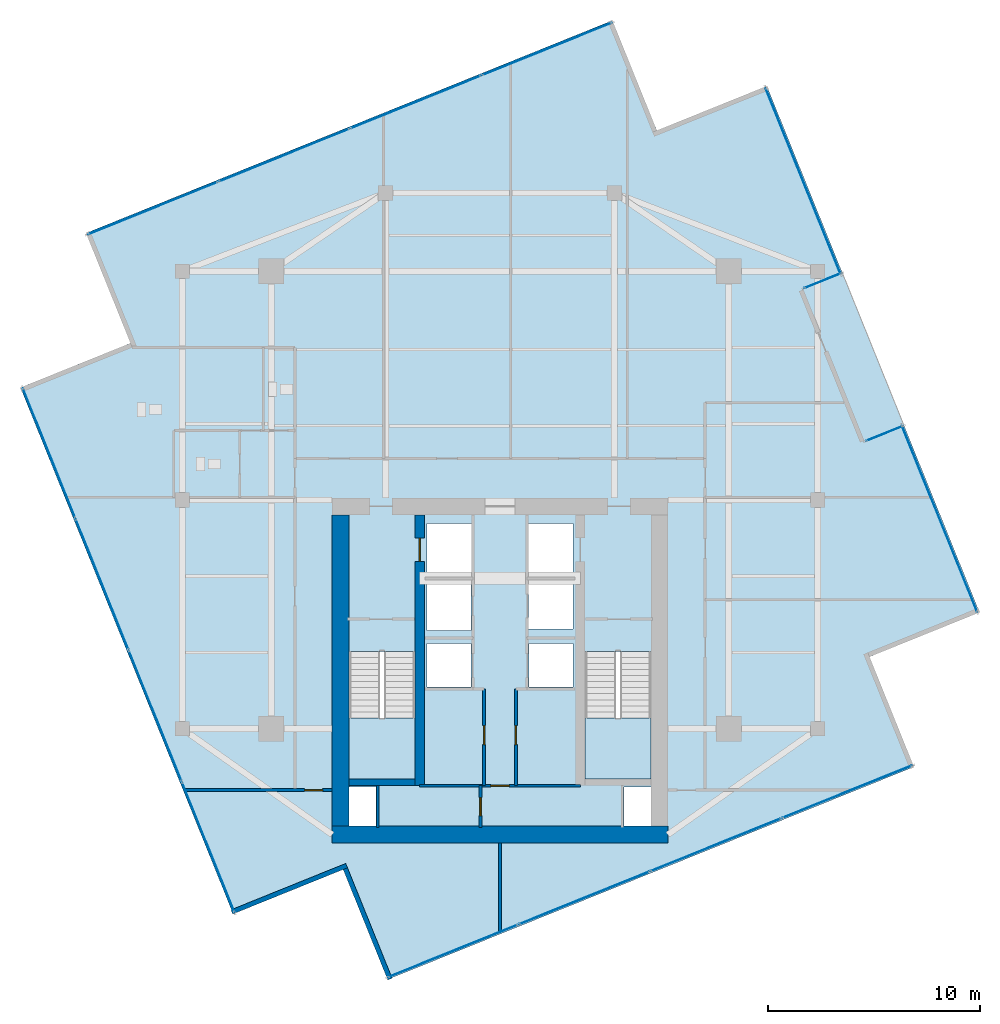
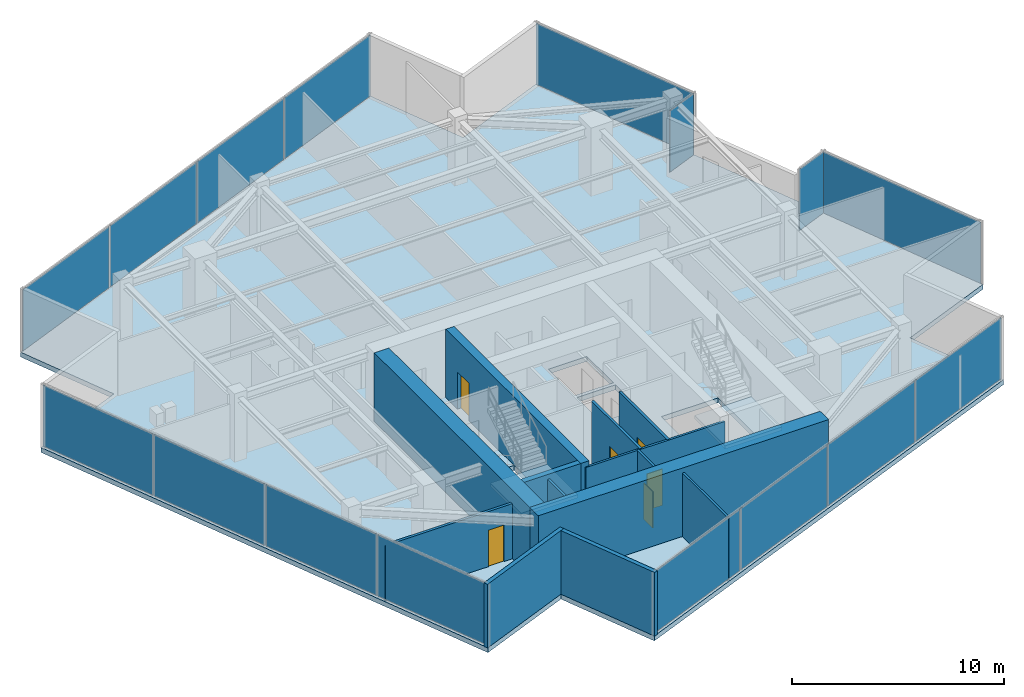
# One storey, part 17 of 21: 16 plates, 13 walls, 6 doors, 3 slabs, 6 openings, 9 elements without a shape of their own.
"""IFC4 building model written with IfcOpenShell, lengths in metres."""

from ifc_helpers import new_model, si_unit, direction, frame, frame_2d, origin, origin_2d, place, context, subcontext, project, spatial, polyline, rectangle, outline, extrude, source, transform, mapped, material, layer, layer_set, type_object, type_shapes, element, fill, aggregate, save


model = new_model("IFC4")

# Units and contexts
model_context = context("Model", 3, precision=1e-05, world=origin(), true_north=direction((0.0, 1.0)))
body_context = subcontext(model_context, "Body", "Model", "MODEL_VIEW")
ifc_project = project(units=[si_unit("LENGTHUNIT", "METRE"), si_unit("AREAUNIT", "SQUARE_METRE"), si_unit("VOLUMEUNIT", "CUBIC_METRE"), si_unit("PLANEANGLEUNIT", "RADIAN"), si_unit("MASSUNIT", "GRAM", prefix="KILO")], contexts=[model_context])

# Site, building, storey
site_placement = place(None, origin())
site = spatial("IfcSite", under=ifc_project, at=site_placement, CompositionType="ELEMENT")
building_placement = place(site_placement, origin())
building = spatial("IfcBuilding", under=site, at=building_placement, Name="Krantzveldt Concourse Tower", CompositionType="ELEMENT")
storey_placement = place(building_placement, frame((0.0, 0.0, 323.75)))
storey = spatial("IfcBuildingStorey", under=building, at=storey_placement, Name="L79", CompositionType="ELEMENT", Elevation=323.75)

# Stair, slab
ifc_material_1 = material(Name="Precast concrete C40/50", Category="concrete")
stair_type = type_object("IfcStairType", Name="STR-CORE-DOGLEG", PredefinedType="HALF_TURN_STAIR", material=ifc_material_1)
stair_1_placement = place(storey_placement, origin())
stair_1 = element("IfcStair", 1, at=stair_1_placement, inside=storey, type_object=stair_type, Name="L79 Protected Escape Stair ST-1", PredefinedType="HALF_TURN_STAIR")
ifc_layer_1 = layer(ifc_material_1, 0.199951171875, Name="Precast concrete C40/50", Category="concrete")
ifc_layer_set_1 = layer_set([ifc_layer_1], Name="Precast concrete C40/50 (SL-LANDING-200)")
slab_type_1 = type_object("IfcSlabType", Name="SL-LANDING-200", PredefinedType="LANDING", material=ifc_layer_set_1)
slab_1_placement = place(storey_placement, frame((0.0, 0.0, 1.77490234375)))
slab_1 = element("IfcSlab", 2, at=slab_1_placement, type_object=slab_type_1, Name="ST-1 landing 1", PredefinedType="LANDING", context=body_context, shape_type="SweptSolid", body=[
    extrude(outline(polyline([(28.8798828125, 16.4150390625), (28.8798828125, 13.52001953125), (31.97998046875, 13.52001953125), (31.97998046875, 16.4150390625), (28.8798828125, 16.4150390625)])), origin(), (0.0, 0.0, 1.0), 0.2001953125),
])
aggregate(stair_1, [slab_1])

stair_2_placement = place(storey_placement, origin())
stair_2 = element("IfcStair", 3, at=stair_2_placement, inside=storey, type_object=stair_type, Name="L79 Protected Escape Stair ST-2", PredefinedType="HALF_TURN_STAIR")
slab_2_placement = place(storey_placement, frame((0.0, 0.0, 1.77490234375)))
slab_2 = element("IfcSlab", 4, at=slab_2_placement, type_object=slab_type_1, Name="ST-2 landing 1", PredefinedType="LANDING", context=body_context, shape_type="SweptSolid", body=[
    extrude(outline(polyline([(40.02001953125, 16.4150390625), (40.02001953125, 13.52001953125), (43.1201171875, 13.52001953125), (43.1201171875, 16.4150390625), (40.02001953125, 16.4150390625)])), origin(), (0.0, 0.0, 1.0), 0.2001953125),
])
aggregate(stair_2, [slab_2])

# Slab
ifc_material_2 = material(Name="Concrete C40/50", Category="concrete")
ifc_layer_2 = layer(ifc_material_2, 0.280029296875, Name="Concrete C40/50", Category="concrete")
ifc_layer_set_2 = layer_set([ifc_layer_2], Name="Concrete C40/50 (SL-SL-TER280)")
slab_type_2 = type_object("IfcSlabType", Name="SL-SL-TER280", PredefinedType="FLOOR", material=ifc_layer_set_2)
slab_3_placement = place(storey_placement, frame((0.0, 0.0, -0.280029296875)))
element("IfcSlab", 5, at=slab_3_placement, inside=storey, type_object=slab_type_2, Name="SL-L79-MAIN", PredefinedType="FLOOR", context=body_context, shape_type="SweptSolid", body=[
    extrude(outline(polyline([(43.404541015625, 44.14404296875), (41.306640625, 49.336181640625), (16.458251953125, 39.296875), (18.555908203125, 34.1044921875), (13.36376953125, 32.0068359375), (23.4033203125, 7.158203125), (28.595458984375, 9.256103515625), (30.693359375, 4.063720703125), (55.541748046875, 14.103271484375), (53.444091796875, 19.29541015625), (58.63623046875, 21.393310546875), (48.5966796875, 46.24169921875), (43.404541015625, 44.14404296875)]), holes=[polyline([(28.8798828125, 19.547607421875), (28.8798828125, 13.52001953125), (31.97998046875, 13.52001953125), (31.97998046875, 19.547607421875), (28.8798828125, 19.547607421875)]), polyline([(40.02001953125, 19.547607421875), (40.02001953125, 13.52001953125), (43.1201171875, 13.52001953125), (43.1201171875, 19.547607421875), (40.02001953125, 19.547607421875)]), polyline([(32.550048828125, 23.10009765625), (34.64990234375, 23.10009765625), (34.64990234375, 25.60009765625), (32.550048828125, 25.60009765625), (32.550048828125, 23.10009765625)]), polyline([(37.35009765625, 23.10009765625), (39.449951171875, 23.10009765625), (39.449951171875, 25.60009765625), (37.35009765625, 25.60009765625), (37.35009765625, 23.10009765625)]), polyline([(37.35009765625, 20.60009765625), (39.449951171875, 20.60009765625), (39.449951171875, 22.89990234375), (37.35009765625, 22.89990234375), (37.35009765625, 20.60009765625)]), polyline([(32.550048828125, 20.550048828125), (34.6201171875, 20.550048828125), (34.6201171875, 22.89990234375), (32.550048828125, 22.89990234375), (32.550048828125, 20.550048828125)]), polyline([(32.550048828125, 17.8798828125), (34.6201171875, 17.8798828125), (34.6201171875, 19.919921875), (32.550048828125, 19.919921875), (32.550048828125, 17.8798828125)]), polyline([(37.3798828125, 17.8798828125), (39.449951171875, 17.8798828125), (39.449951171875, 19.919921875), (37.3798828125, 19.919921875), (37.3798828125, 17.8798828125)]), polyline([(28.8798828125, 11.320068359375), (30.139892578125, 11.320068359375), (30.139892578125, 13.159912109375), (28.8798828125, 13.159912109375), (28.8798828125, 11.320068359375)]), polyline([(41.860107421875, 11.320068359375), (43.1201171875, 11.320068359375), (43.1201171875, 13.159912109375), (41.860107421875, 13.159912109375), (41.860107421875, 11.320068359375)])]), origin(), (0.0, 0.0, 1.0), 0.280029296875),
])

# Curtain wall, plate
ifc_material_3 = material(Name="Anodised aluminium 6063-T6", Category="aluminium")
curtain_wall_type_1 = type_object("IfcCurtainWallType", Name="CW6", PredefinedType="USERDEFINED", material=ifc_material_3)
curtain_wall_1_placement = place(storey_placement, origin())
curtain_wall_1 = element("IfcCurtainWall", 6, at=curtain_wall_1_placement, inside=storey, type_object=curtain_wall_type_1, Name="CW-L79-TR11", ObjectType="UNITISED CURTAIN WALL", PredefinedType="USERDEFINED")
ifc_material_4 = material(Name="Bronze-tinted laminated low-E IGU glass", Category="glass")
ifc_layer_3 = layer(ifc_material_4, 0.031982421875, Name="Bronze-tinted laminated low-E IGU glass", Category="glass")
ifc_layer_set_3 = layer_set([ifc_layer_3], Name="Bronze-tinted laminated low-E IGU glass (CW-GLZ-32)")
plate_type = type_object("IfcPlateType", Name="CW-GLZ-32", PredefinedType="CURTAIN_PANEL", material=ifc_layer_set_3)
shared_shape_1 = source(origin(), body_context, "Body", "SweptSolid", [
    extrude(rectangle(XDim=1.860107421875, YDim=0.031982421875, at=origin_2d()), origin(), (0.0, 0.0, 1.0), 3.530029296875),
])
plate_1_placement = place(storey_placement, frame((54.146484375, 29.836181640625, 0.06982421875), z_axis=(0.0, 0.0, 1.0), x_axis=(-0.9271828321, -0.374609124101, 0.0)))
plate_1 = element("IfcPlate", 7, at=plate_1_placement, type_object=plate_type, Name="CW-TERR panel 1.1", PredefinedType="CURTAIN_PANEL", context=body_context, shape_type="MappedRepresentation", body=[
    mapped(shared_shape_1, transform((0.0, 0.0, 0.0), x_axis=(1.0, 0.0, 0.0), y_axis=(0.0, 1.0, 0.0), z_axis=(0.0, 0.0, 1.0), scale=1.0)),
])
aggregate(curtain_wall_1, [plate_1])

curtain_wall_2_placement = place(storey_placement, origin())
curtain_wall_2 = element("IfcCurtainWall", 8, at=curtain_wall_2_placement, inside=storey, type_object=curtain_wall_type_1, Name="CW-L79-TR13", ObjectType="UNITISED CURTAIN WALL", PredefinedType="USERDEFINED")
plate_2_placement = place(storey_placement, frame((51.232177734375, 37.049560546875, 0.06982421875), z_axis=(0.0, 0.0, 1.0), x_axis=(0.927184568743, 0.374604825762, 0.0)))
plate_2 = element("IfcPlate", 9, at=plate_2_placement, type_object=plate_type, Name="CW-TERR panel 1.1", PredefinedType="CURTAIN_PANEL", context=body_context, shape_type="MappedRepresentation", body=[
    mapped(shared_shape_1, transform((0.0, 0.0, 0.0), x_axis=(1.0, 0.0, 0.0), y_axis=(0.0, 1.0, 0.0), z_axis=(0.0, 0.0, 1.0), scale=1.0)),
])
aggregate(curtain_wall_2, [plate_2])

# Curtain wall, plates
curtain_wall_type_2 = type_object("IfcCurtainWallType", Name="CW4", PredefinedType="USERDEFINED", material=ifc_material_3)
curtain_wall_3_placement = place(storey_placement, origin())
curtain_wall_3 = element("IfcCurtainWall", 10, at=curtain_wall_3_placement, inside=storey, type_object=curtain_wall_type_2, Name="CW-L79-F01", ObjectType="UNITISED CURTAIN WALL", PredefinedType="USERDEFINED")
shared_shape_2 = source(origin(), body_context, "Body", "SweptSolid", [
    extrude(rectangle(XDim=6.594970703125, YDim=0.031982421875, at=origin_2d()), origin(), (0.0, 0.0, 1.0), 3.530029296875),
])
plate_3_placement = place(storey_placement, frame((38.21826171875, 47.9912109375, 0.06982421875), z_axis=(0.0, 0.0, 1.0), x_axis=(-0.927183825969, -0.374606664198, 0.0)))
plate_3 = element("IfcPlate", 11, at=plate_3_placement, type_object=plate_type, Name="CW-Z56 panel 1.1", PredefinedType="CURTAIN_PANEL", context=body_context, shape_type="MappedRepresentation", body=[
    mapped(shared_shape_2, transform((0.0, 0.0, 0.0), x_axis=(1.0, 0.0, 0.0), y_axis=(0.0, 1.0, 0.0), z_axis=(0.0, 0.0, 1.0), scale=1.0)),
])
plate_4_placement = place(storey_placement, frame((19.6142578125, 40.474853515625, 0.06982421875), z_axis=(0.0, 0.0, 1.0), x_axis=(-0.927183825969, -0.374606664198, 0.0)))
plate_4 = element("IfcPlate", 12, at=plate_4_placement, type_object=plate_type, Name="CW-Z56 panel 4.1", PredefinedType="CURTAIN_PANEL", context=body_context, shape_type="MappedRepresentation", body=[
    mapped(shared_shape_2, transform((0.0, 0.0, 0.0), x_axis=(1.0, 0.0, 0.0), y_axis=(0.0, 1.0, 0.0), z_axis=(0.0, 0.0, 1.0), scale=1.0)),
])

curtain_wall_4_placement = place(storey_placement, origin())
curtain_wall_4 = element("IfcCurtainWall", 13, at=curtain_wall_4_placement, inside=storey, type_object=curtain_wall_type_2, Name="CW-L79-F04", ObjectType="UNITISED CURTAIN WALL", PredefinedType="USERDEFINED")
plate_5_placement = place(storey_placement, frame((14.708740234375, 28.918212890625, 0.06982421875), z_axis=(0.0, 0.0, 1.0), x_axis=(0.374606664198, -0.927183825969, 0.0)))
plate_5 = element("IfcPlate", 14, at=plate_5_placement, type_object=plate_type, Name="CW-Z56 panel 1.1", PredefinedType="CURTAIN_PANEL", context=body_context, shape_type="MappedRepresentation", body=[
    mapped(shared_shape_2, transform((0.0, 0.0, 0.0), x_axis=(1.0, 0.0, 0.0), y_axis=(0.0, 1.0, 0.0), z_axis=(0.0, 0.0, 1.0), scale=1.0)),
])
plate_6_placement = place(storey_placement, frame((22.22509765625, 10.314208984375, 0.06982421875), z_axis=(0.0, 0.0, 1.0), x_axis=(0.374606664198, -0.927183825969, 0.0)))
plate_6 = element("IfcPlate", 15, at=plate_6_placement, type_object=plate_type, Name="CW-Z56 panel 4.1", PredefinedType="CURTAIN_PANEL", context=body_context, shape_type="MappedRepresentation", body=[
    mapped(shared_shape_2, transform((0.0, 0.0, 0.0), x_axis=(1.0, 0.0, 0.0), y_axis=(0.0, 1.0, 0.0), z_axis=(0.0, 0.0, 1.0), scale=1.0)),
])

curtain_wall_5_placement = place(storey_placement, origin())
curtain_wall_5 = element("IfcCurtainWall", 16, at=curtain_wall_5_placement, inside=storey, type_object=curtain_wall_type_2, Name="CW-L79-F07", ObjectType="UNITISED CURTAIN WALL", PredefinedType="USERDEFINED")
plate_7_placement = place(storey_placement, frame((33.78173828125, 5.40869140625, 0.06982421875), z_axis=(0.0, 0.0, 1.0), x_axis=(0.927183825969, 0.374606664198, 0.0)))
plate_7 = element("IfcPlate", 17, at=plate_7_placement, type_object=plate_type, Name="CW-Z56 panel 1.1", PredefinedType="CURTAIN_PANEL", context=body_context, shape_type="MappedRepresentation", body=[
    mapped(shared_shape_2, transform((0.0, 0.0, 0.0), x_axis=(1.0, 0.0, 0.0), y_axis=(0.0, 1.0, 0.0), z_axis=(0.0, 0.0, 1.0), scale=1.0)),
])
plate_8_placement = place(storey_placement, frame((52.3857421875, 12.92529296875, 0.06982421875), z_axis=(0.0, 0.0, 1.0), x_axis=(0.927183825969, 0.374606664198, 0.0)))
plate_8 = element("IfcPlate", 18, at=plate_8_placement, type_object=plate_type, Name="CW-Z56 panel 4.1", PredefinedType="CURTAIN_PANEL", context=body_context, shape_type="MappedRepresentation", body=[
    mapped(shared_shape_2, transform((0.0, 0.0, 0.0), x_axis=(1.0, 0.0, 0.0), y_axis=(0.0, 1.0, 0.0), z_axis=(0.0, 0.0, 1.0), scale=1.0)),
])

# Plate
shared_shape_3 = source(origin(), body_context, "Body", "SweptSolid", [
    extrude(rectangle(XDim=6.6298828125, YDim=0.031982421875, at=origin_2d()), origin(), (0.0, 0.0, 1.0), 3.530029296875),
])
plate_9_placement = place(storey_placement, frame((32.022216796875, 45.488037109375, 0.06982421875), z_axis=(0.0, 0.0, 1.0), x_axis=(-0.927183825969, -0.374606664198, 0.0)))
plate_9 = element("IfcPlate", 19, at=plate_9_placement, type_object=plate_type, Name="CW-Z56 panel 2.1", PredefinedType="CURTAIN_PANEL", context=body_context, shape_type="MappedRepresentation", body=[
    mapped(shared_shape_3, transform((0.0, 0.0, 0.0), x_axis=(1.0, 0.0, 0.0), y_axis=(0.0, 1.0, 0.0), z_axis=(0.0, 0.0, 1.0), scale=1.0)),
])

plate_10_placement = place(storey_placement, frame((25.81005859375, 42.97802734375, 0.06982421875), z_axis=(0.0, 0.0, 1.0), x_axis=(-0.927183825969, -0.374606664198, 0.0)))
plate_10 = element("IfcPlate", 20, at=plate_10_placement, type_object=plate_type, Name="CW-Z56 panel 3.1", PredefinedType="CURTAIN_PANEL", context=body_context, shape_type="MappedRepresentation", body=[
    mapped(shared_shape_3, transform((0.0, 0.0, 0.0), x_axis=(1.0, 0.0, 0.0), y_axis=(0.0, 1.0, 0.0), z_axis=(0.0, 0.0, 1.0), scale=1.0)),
])

aggregate(curtain_wall_3, [plate_3, plate_9, plate_10, plate_4])

plate_11_placement = place(storey_placement, frame((17.2119140625, 22.72216796875, 0.06982421875), z_axis=(0.0, 0.0, 1.0), x_axis=(0.374606664198, -0.927183825969, 0.0)))
plate_11 = element("IfcPlate", 21, at=plate_11_placement, type_object=plate_type, Name="CW-Z56 panel 2.1", PredefinedType="CURTAIN_PANEL", context=body_context, shape_type="MappedRepresentation", body=[
    mapped(shared_shape_3, transform((0.0, 0.0, 0.0), x_axis=(1.0, 0.0, 0.0), y_axis=(0.0, 1.0, 0.0), z_axis=(0.0, 0.0, 1.0), scale=1.0)),
])

plate_12_placement = place(storey_placement, frame((19.721923828125, 16.510009765625, 0.06982421875), z_axis=(0.0, 0.0, 1.0), x_axis=(0.374606664198, -0.927183825969, 0.0)))
plate_12 = element("IfcPlate", 22, at=plate_12_placement, type_object=plate_type, Name="CW-Z56 panel 3.1", PredefinedType="CURTAIN_PANEL", context=body_context, shape_type="MappedRepresentation", body=[
    mapped(shared_shape_3, transform((0.0, 0.0, 0.0), x_axis=(1.0, 0.0, 0.0), y_axis=(0.0, 1.0, 0.0), z_axis=(0.0, 0.0, 1.0), scale=1.0)),
])

aggregate(curtain_wall_4, [plate_5, plate_11, plate_12, plate_6])

plate_13_placement = place(storey_placement, frame((39.977783203125, 7.912109375, 0.06982421875), z_axis=(0.0, 0.0, 1.0), x_axis=(0.927183825969, 0.374606664198, 0.0)))
plate_13 = element("IfcPlate", 23, at=plate_13_placement, type_object=plate_type, Name="CW-Z56 panel 2.1", PredefinedType="CURTAIN_PANEL", context=body_context, shape_type="MappedRepresentation", body=[
    mapped(shared_shape_3, transform((0.0, 0.0, 0.0), x_axis=(1.0, 0.0, 0.0), y_axis=(0.0, 1.0, 0.0), z_axis=(0.0, 0.0, 1.0), scale=1.0)),
])

plate_14_placement = place(storey_placement, frame((46.18994140625, 10.421875, 0.06982421875), z_axis=(0.0, 0.0, 1.0), x_axis=(0.927183825969, 0.374606664198, 0.0)))
plate_14 = element("IfcPlate", 24, at=plate_14_placement, type_object=plate_type, Name="CW-Z56 panel 3.1", PredefinedType="CURTAIN_PANEL", context=body_context, shape_type="MappedRepresentation", body=[
    mapped(shared_shape_3, transform((0.0, 0.0, 0.0), x_axis=(1.0, 0.0, 0.0), y_axis=(0.0, 1.0, 0.0), z_axis=(0.0, 0.0, 1.0), scale=1.0)),
])

aggregate(curtain_wall_5, [plate_7, plate_13, plate_14, plate_8])

# Curtain wall, plate
curtain_wall_6_placement = place(storey_placement, origin())
curtain_wall_6 = element("IfcCurtainWall", 25, at=curtain_wall_6_placement, inside=storey, type_object=curtain_wall_type_2, Name="CW-L79-F10", ObjectType="UNITISED CURTAIN WALL", PredefinedType="USERDEFINED")
shared_shape_4 = source(origin(), body_context, "Body", "SweptSolid", [
    extrude(rectangle(XDim=9.4599609375, YDim=0.031982421875, at=origin_2d()), origin(), (0.0, 0.0, 1.0), 3.530029296875),
])
type_shapes(plate_type, [shared_shape_1, shared_shape_2, shared_shape_3, shared_shape_4])
plate_15_placement = place(storey_placement, frame((56.754638671875, 25.81005859375, 0.06982421875), z_axis=(0.0, 0.0, 1.0), x_axis=(-0.374606117426, 0.927184046879, 0.0)))
plate_15 = element("IfcPlate", 26, at=plate_15_placement, type_object=plate_type, Name="CW-Z56 panel 1.1", PredefinedType="CURTAIN_PANEL", context=body_context, shape_type="MappedRepresentation", body=[
    mapped(shared_shape_4, transform((0.0, 0.0, 0.0), x_axis=(1.0, 0.0, 0.0), y_axis=(0.0, 1.0, 0.0), z_axis=(0.0, 0.0, 1.0), scale=1.0)),
])
aggregate(curtain_wall_6, [plate_15])

curtain_wall_7_placement = place(storey_placement, origin())
curtain_wall_7 = element("IfcCurtainWall", 27, at=curtain_wall_7_placement, inside=storey, type_object=curtain_wall_type_2, Name="CW-L79-F14", ObjectType="UNITISED CURTAIN WALL", PredefinedType="USERDEFINED")
plate_16_placement = place(storey_placement, frame((50.3115234375, 41.757568359375, 0.06982421875), z_axis=(0.0, 0.0, 1.0), x_axis=(-0.374607012913, 0.927183685079, 0.0)))
plate_16 = element("IfcPlate", 28, at=plate_16_placement, type_object=plate_type, Name="CW-Z56 panel 1.1", PredefinedType="CURTAIN_PANEL", context=body_context, shape_type="MappedRepresentation", body=[
    mapped(shared_shape_4, transform((0.0, 0.0, 0.0), x_axis=(1.0, 0.0, 0.0), y_axis=(0.0, 1.0, 0.0), z_axis=(0.0, 0.0, 1.0), scale=1.0)),
])
aggregate(curtain_wall_7, [plate_16])

# Walls
ifc_layer_4 = layer(ifc_material_3, 0.219970703125, Name="Anodised aluminium 6063-T6", Category="aluminium")
ifc_layer_set_4 = layer_set([ifc_layer_4], Name="Anodised aluminium 6063-T6 (WL-EXT-NOTCH220)")
wall_type_1 = type_object("IfcWallType", Name="WL-EXT-NOTCH220", PredefinedType="ELEMENTEDWALL", material=ifc_layer_set_4)
wall_1_placement = place(storey_placement, frame((23.3388671875, 7.250732421875, 0.0), z_axis=(0.0, 0.0, 1.0), x_axis=(0.927177676614, 0.374621884023, 0.0)))
element("IfcWall", 29, at=wall_1_placement, inside=storey, type_object=wall_type_1, Name="EW-L79-NCH05", PredefinedType="ELEMENTEDWALL", context=body_context, shape_type="SweptSolid", body=[
    extrude(rectangle(XDim=5.844970703125, YDim=0.219970703125, at=frame_2d((2.92236328125, 0.0))), origin(), (0.0, 0.0, 1.0), 3.669921875),
])
wall_2_placement = place(storey_placement, frame((28.697509765625, 9.297119140625, 0.0), z_axis=(0.0, 0.0, 1.0), x_axis=(0.374613748588, -0.927180963658, 0.0)))
element("IfcWall", 30, at=wall_2_placement, inside=storey, type_object=wall_type_1, Name="EW-L79-NCH06", PredefinedType="ELEMENTEDWALL", context=body_context, shape_type="SweptSolid", body=[
    extrude(rectangle(XDim=5.625, YDim=0.219970703125, at=frame_2d((2.8125, 0.0))), origin(), (0.0, 0.0, 1.0), 3.669921875),
])

# Wall, opening, door
ifc_material_5 = material(Name="Fire-rated gypsum plasterboard on steel stud", Category="steel")
ifc_layer_5 = layer(ifc_material_5, 0.1201171875, Name="Fire-rated gypsum plasterboard on steel stud", Category="steel")
ifc_layer_set_5 = layer_set([ifc_layer_5], Name="Fire-rated gypsum plasterboard on steel stud (WL-PART-120)")
wall_type_2 = type_object("IfcWallType", Name="WL-PART-120", PredefinedType="PARTITIONING", material=ifc_layer_set_5)
wall_3_placement = place(storey_placement, frame((32.2099609375, 13.219970703125, 0.0), z_axis=(0.0, 0.0, 1.0), x_axis=(1.0, 0.0, 0.0)))
wall_3 = element("IfcWall", 31, at=wall_3_placement, inside=storey, type_object=wall_type_2, Name="WP-L79-CS2H", PredefinedType="PARTITIONING", context=body_context, shape_type="SweptSolid", body=[
    extrude(rectangle(XDim=7.580078125, YDim=0.1201171875, at=frame_2d((3.7900390625, 0.0))), origin(), (0.0, 0.0, 1.0), 3.669921875),
])
opening_1_placement = place(wall_3_placement, frame((3.364990234375, 0.0, 0.0)))
opening_1 = element("IfcOpeningElement", 32, at=opening_1_placement, cuts=wall_3, Name="Opening D-IN085", PredefinedType="OPENING", context=body_context, shape_type="SweptSolid", body=[
    extrude(rectangle(XDim=0.85009765625, YDim=2.10009765625, at=frame_2d((0.425048828125, 1.050048828125))), frame((0.0, 0.070068359375, 0.0), z_axis=(0.0, -1.0, 0.0), x_axis=(1.0, 0.0, 0.0)), (0.0, 0.0, 1.0), 0.14013671875),
])
ifc_material_6 = material(Name="Hardwood timber", Category="wood")
door_type_1 = type_object("IfcDoorType", Name="DR-INT-850", OperationType="SINGLE_SWING_LEFT", PredefinedType="DOOR", material=ifc_material_6)
door_1_placement = place(opening_1_placement, origin())
door_1 = element("IfcDoor", 33, at=door_1_placement, inside=storey, type_object=door_type_1, Name="DR-L79-LLBS", OperationType="SINGLE_SWING_RIGHT", OverallHeight=2.10009765625, OverallWidth=0.85009765625, PredefinedType="DOOR", context=body_context, shape_type="SweptSolid", body=[
    extrude(rectangle(XDim=0.85009765625, YDim=2.10009765625, at=frame_2d((0.425048828125, 1.050048828125))), frame((0.0, 0.02490234375, 0.0), z_axis=(0.0, -1.0, 0.0), x_axis=(1.0, 0.0, 0.0)), (0.0, 0.0, 1.0), 0.050048828125),
])
fill(opening_1, door_1)

wall_4_placement = place(storey_placement, frame((35.080078125, 11.25, 0.0), z_axis=(0.0, 0.0, 1.0), x_axis=(0.0, 1.0, 0.0)))
wall_4 = element("IfcWall", 34, at=wall_4_placement, inside=storey, type_object=wall_type_2, Name="WP-L79-CSA-V", PredefinedType="PARTITIONING", context=body_context, shape_type="SweptSolid", body=[
    extrude(rectangle(XDim=1.969970703125, YDim=0.1201171875, at=frame_2d((0.98486328125, 0.0))), origin(), (0.0, 0.0, 1.0), 3.669921875),
])
opening_2_placement = place(wall_4_placement, frame((0.544921875, 0.0, 0.0)))
opening_2 = element("IfcOpeningElement", 35, at=opening_2_placement, cuts=wall_4, Name="Opening D-IN085", PredefinedType="OPENING", context=body_context, shape_type="SweptSolid", body=[
    extrude(rectangle(XDim=0.85009765625, YDim=2.10009765625, at=frame_2d((0.425048828125, 1.050048828125))), frame((0.0, 0.070068359375, 0.0), z_axis=(0.0, -1.0, 0.0), x_axis=(1.0, 0.0, 0.0)), (0.0, 0.0, 1.0), 0.14013671875),
])
door_2_placement = place(opening_2_placement, origin())
door_2 = element("IfcDoor", 36, at=door_2_placement, inside=storey, type_object=door_type_1, Name="DR-L79-CSA1", OperationType="SINGLE_SWING_LEFT", OverallHeight=2.10009765625, OverallWidth=0.85009765625, PredefinedType="DOOR", context=body_context, shape_type="SweptSolid", body=[
    extrude(rectangle(XDim=0.85009765625, YDim=2.10009765625, at=frame_2d((0.425048828125, 1.050048828125))), frame((0.0, 0.02490234375, 0.0), z_axis=(0.0, -1.0, 0.0), x_axis=(1.0, 0.0, 0.0)), (0.0, 0.0, 1.0), 0.050048828125),
])
fill(opening_2, door_2)

# Wall
wall_5_placement = place(storey_placement, frame((36.0, 6.304931640625, 0.0), z_axis=(0.0, 0.0, 1.0), x_axis=(0.0, 1.0, 0.0)))
element("IfcWall", 37, at=wall_5_placement, inside=storey, type_object=wall_type_2, Name="WP-L79-SSMD", PredefinedType="PARTITIONING", context=body_context, shape_type="SweptSolid", body=[
    extrude(rectangle(XDim=4.195068359375, YDim=0.1201171875, at=frame_2d((2.09765625, 0.0))), origin(), (0.0, 0.0, 1.0), 3.669921875),
])

# Wall, opening, door
ifc_layer_6 = layer(ifc_material_5, 0.139892578125, Name="Fire-rated gypsum plasterboard on steel stud", Category="steel")
ifc_layer_set_6 = layer_set([ifc_layer_6], Name="Fire-rated gypsum plasterboard on steel stud (WL-PART-140)")
wall_type_3 = type_object("IfcWallType", Name="WL-PART-140", PredefinedType="PARTITIONING", material=ifc_layer_set_6)
wall_6_placement = place(storey_placement, frame((21.14013671875, 13.0, 0.0), z_axis=(0.0, 0.0, 1.0), x_axis=(1.0, 0.0, 0.0)))
wall_6 = element("IfcWall", 38, at=wall_6_placement, inside=storey, type_object=wall_type_3, Name="WP-L79-CSBOTW", PredefinedType="PARTITIONING", context=body_context, shape_type="SweptSolid", body=[
    extrude(rectangle(XDim=6.93994140625, YDim=0.139892578125, at=frame_2d((3.469970703125, 0.0))), origin(), (0.0, 0.0, 1.0), 3.179931640625),
])
opening_3_placement = place(wall_6_placement, frame((5.635009765625, 0.0, 0.0)))
opening_3 = element("IfcOpeningElement", 39, at=opening_3_placement, cuts=wall_6, Name="Opening D-IN085", PredefinedType="OPENING", context=body_context, shape_type="SweptSolid", body=[
    extrude(rectangle(XDim=0.85009765625, YDim=2.10009765625, at=frame_2d((0.425048828125, 1.050048828125))), frame((0.0, 0.080078125, 0.0), z_axis=(0.0, -1.0, 0.0), x_axis=(1.0, 0.0, 0.0)), (0.0, 0.0, 1.0), 0.159912109375),
])
door_3_placement = place(opening_3_placement, origin())
door_3 = element("IfcDoor", 40, at=door_3_placement, inside=storey, type_object=door_type_1, Name="DR-L79-SR1", OperationType="SINGLE_SWING_LEFT", OverallHeight=2.10009765625, OverallWidth=0.85009765625, PredefinedType="DOOR", context=body_context, shape_type="SweptSolid", body=[
    extrude(rectangle(XDim=0.85009765625, YDim=2.10009765625, at=frame_2d((0.425048828125, 1.050048828125))), frame((0.0, 0.02490234375, 0.0), z_axis=(0.0, -1.0, 0.0), x_axis=(1.0, 0.0, 0.0)), (0.0, 0.0, 1.0), 0.050048828125),
])
fill(opening_3, door_3)

ifc_layer_7 = layer(ifc_material_5, 0.139892578125, Name="Fire-rated gypsum plasterboard on steel stud", Category="steel")
ifc_layer_set_7 = layer_set([ifc_layer_7], Name="Fire-rated gypsum plasterboard on steel stud (WL-PART-FR140)")
wall_type_4 = type_object("IfcWallType", Name="WL-PART-FR140", PredefinedType="PARTITIONING", material=ifc_layer_set_7)
wall_7_placement = place(storey_placement, frame((35.25, 13.219970703125, 0.0), z_axis=(0.0, 0.0, 1.0), x_axis=(0.0, 1.0, 0.0)))
wall_7 = element("IfcWall", 41, at=wall_7_placement, inside=storey, type_object=wall_type_4, Name="WP-L79-RECW", PredefinedType="PARTITIONING", context=body_context, shape_type="SweptSolid", body=[
    extrude(rectangle(XDim=4.56005859375, YDim=0.139892578125, at=frame_2d((2.280029296875, 0.0))), origin(), (0.0, 0.0, 1.0), 3.669921875),
])
opening_4_placement = place(wall_7_placement, frame((1.929931640625, 0.0, 0.0)))
opening_4 = element("IfcOpeningElement", 42, at=opening_4_placement, cuts=wall_7, Name="Opening D-FD090", PredefinedType="OPENING", context=body_context, shape_type="SweptSolid", body=[
    extrude(rectangle(XDim=0.89990234375, YDim=2.10009765625, at=frame_2d((0.449951171875, 1.050048828125))), frame((0.0, 0.080078125, 0.0), z_axis=(0.0, -1.0, 0.0), x_axis=(1.0, 0.0, 0.0)), (0.0, 0.0, 1.0), 0.159912109375),
])
door_type_2 = type_object("IfcDoorType", Name="DR-FD60-900", OperationType="SINGLE_SWING_LEFT", PredefinedType="DOOR", material=ifc_material_6)
door_4_placement = place(opening_4_placement, origin())
door_4 = element("IfcDoor", 43, at=door_4_placement, inside=storey, type_object=door_type_2, Name="DR-L79-RECW", OperationType="SINGLE_SWING_LEFT", OverallHeight=2.10009765625, OverallWidth=0.89990234375, PredefinedType="DOOR", context=body_context, shape_type="SweptSolid", body=[
    extrude(rectangle(XDim=0.89990234375, YDim=2.10009765625, at=frame_2d((0.449951171875, 1.050048828125))), frame((0.0, 0.02490234375, 0.0), z_axis=(0.0, -1.0, 0.0), x_axis=(1.0, 0.0, 0.0)), (0.0, 0.0, 1.0), 0.050048828125),
])
fill(opening_4, door_4)

wall_8_placement = place(storey_placement, frame((36.75, 13.219970703125, 0.0), z_axis=(0.0, 0.0, 1.0), x_axis=(0.0, 1.0, 0.0)))
wall_8 = element("IfcWall", 44, at=wall_8_placement, inside=storey, type_object=wall_type_4, Name="WP-L79-RECE", PredefinedType="PARTITIONING", context=body_context, shape_type="SweptSolid", body=[
    extrude(rectangle(XDim=4.56005859375, YDim=0.139892578125, at=frame_2d((2.280029296875, 0.0))), origin(), (0.0, 0.0, 1.0), 3.669921875),
])
opening_5_placement = place(wall_8_placement, frame((1.929931640625, 0.0, 0.0)))
opening_5 = element("IfcOpeningElement", 45, at=opening_5_placement, cuts=wall_8, Name="Opening D-FD090", PredefinedType="OPENING", context=body_context, shape_type="SweptSolid", body=[
    extrude(rectangle(XDim=0.89990234375, YDim=2.10009765625, at=frame_2d((0.449951171875, 1.050048828125))), frame((0.0, 0.080078125, 0.0), z_axis=(0.0, -1.0, 0.0), x_axis=(1.0, 0.0, 0.0)), (0.0, 0.0, 1.0), 0.159912109375),
])
door_5_placement = place(opening_5_placement, origin())
door_5 = element("IfcDoor", 46, at=door_5_placement, inside=storey, type_object=door_type_2, Name="DR-L79-RECE", OperationType="SINGLE_SWING_RIGHT", OverallHeight=2.10009765625, OverallWidth=0.89990234375, PredefinedType="DOOR", context=body_context, shape_type="SweptSolid", body=[
    extrude(rectangle(XDim=0.89990234375, YDim=2.10009765625, at=frame_2d((0.449951171875, 1.050048828125))), frame((0.0, 0.02490234375, 0.0), z_axis=(0.0, -1.0, 0.0), x_axis=(1.0, 0.0, 0.0)), (0.0, 0.0, 1.0), 0.050048828125),
])
fill(opening_5, door_5)

# Walls
wall_9_placement = place(storey_placement, frame((30.219970703125, 11.25, 0.0), z_axis=(0.0, 0.0, 1.0), x_axis=(0.0, 1.0, 0.0)))
element("IfcWall", 47, at=wall_9_placement, inside=storey, type_object=wall_type_4, Name="WP-L79-RSW", PredefinedType="PARTITIONING", context=body_context, shape_type="SweptSolid", body=[
    extrude(rectangle(XDim=1.969970703125, YDim=0.1201171875, at=frame_2d((0.98486328125, 0.0))), origin(), (0.0, 0.0, 1.0), 3.669921875),
])
ifc_material_7 = material(Name="Concrete C50/60", Category="concrete")
ifc_layer_8 = layer(ifc_material_7, 0.300048828125, Name="Concrete C50/60", Category="concrete")
ifc_layer_set_8 = layer_set([ifc_layer_8], Name="Concrete C50/60 (WL-SHEAR-300)")
wall_type_5 = type_object("IfcWallType", Name="WL-SHEAR-300", PredefinedType="SHEAR", material=ifc_layer_set_8)
wall_10_placement = place(storey_placement, frame((28.8798828125, 13.3701171875, 0.0), z_axis=(0.0, 0.0, 1.0), x_axis=(1.0, 0.0, 0.0)))
element("IfcWall", 48, at=wall_10_placement, inside=storey, type_object=wall_type_5, Name="CW-L79-ST1S", PredefinedType="SHEAR", context=body_context, shape_type="SweptSolid", body=[
    extrude(rectangle(XDim=3.10009765625, YDim=0.300048828125, at=frame_2d((1.550048828125, 0.0))), origin(), (0.0, 0.0, 1.0), 3.949951171875),
])

# Wall, opening, door
ifc_layer_9 = layer(ifc_material_7, 0.449951171875, Name="Concrete C50/60", Category="concrete")
ifc_layer_set_9 = layer_set([ifc_layer_9], Name="Concrete C50/60 (WL-SHEAR-450)")
wall_type_6 = type_object("IfcWallType", Name="WL-SHEAR-450", PredefinedType="SHEAR", material=ifc_layer_set_9)
wall_11_placement = place(storey_placement, frame((32.205078125, 13.219970703125, 0.0), z_axis=(0.0, 0.0, 1.0), x_axis=(0.0, 1.0, 0.0)))
wall_11 = element("IfcWall", 49, at=wall_11_placement, inside=storey, type_object=wall_type_6, Name="CW-L79-IW", PredefinedType="SHEAR", context=body_context, shape_type="SweptSolid", body=[
    extrude(rectangle(XDim=12.780029296875, YDim=0.449951171875, at=frame_2d((6.39013671875, 0.0))), origin(), (0.0, 0.0, 1.0), 3.949951171875),
])
opening_6_placement = place(wall_11_placement, frame((10.580078125, 0.0, 0.0)))
opening_6 = element("IfcOpeningElement", 50, at=opening_6_placement, cuts=wall_11, Name="Opening LD", PredefinedType="OPENING", context=body_context, shape_type="SweptSolid", body=[
    extrude(rectangle(XDim=1.10009765625, YDim=2.14990234375, at=frame_2d((0.550048828125, 1.074951171875))), frame((0.0, 0.23486328125, 0.0), z_axis=(0.0, -1.0, 0.0), x_axis=(1.0, 0.0, 0.0)), (0.0, 0.0, 1.0), 0.469970703125),
])
ifc_material_8 = material(Name="Stainless steel 316L", Category="steel")
door_type_3 = type_object("IfcDoorType", Name="DR-SLIDE-LD1100", OperationType="DOUBLE_DOOR_SLIDING", PredefinedType="DOOR", material=ifc_material_8)
door_6_placement = place(opening_6_placement, origin())
door_6 = element("IfcDoor", 51, at=door_6_placement, inside=storey, type_object=door_type_3, Name="LD-L79-FL1", OperationType="DOUBLE_DOOR_SLIDING", OverallHeight=2.14990234375, OverallWidth=1.10009765625, PredefinedType="DOOR", context=body_context, shape_type="SweptSolid", body=[
    extrude(rectangle(XDim=1.10009765625, YDim=2.14990234375, at=frame_2d((0.550048828125, 1.074951171875))), frame((0.0, 0.02490234375, 0.0), z_axis=(0.0, -1.0, 0.0), x_axis=(1.0, 0.0, 0.0)), (0.0, 0.0, 1.0), 0.050048828125),
])
fill(opening_6, door_6)

# Walls
ifc_material_9 = material(Name="Concrete C60/75", Category="concrete")
ifc_layer_10 = layer(ifc_material_9, 0.800048828125, Name="Concrete C60/75", Category="concrete")
ifc_layer_set_10 = layer_set([ifc_layer_10], Name="Concrete C60/75 (WL-SHEAR-800)")
wall_type_7 = type_object("IfcWallType", Name="WL-SHEAR-800", PredefinedType="SHEAR", material=ifc_layer_set_10)
wall_12_placement = place(storey_placement, frame((28.080078125, 10.89990234375, 0.0), z_axis=(0.0, 0.0, 1.0), x_axis=(1.0, 0.0, 0.0)))
element("IfcWall", 52, at=wall_12_placement, inside=storey, type_object=wall_type_7, Name="CW-L79-S", PredefinedType="SHEAR", context=body_context, shape_type="SweptSolid", body=[
    extrude(rectangle(XDim=15.83984375, YDim=0.800048828125, at=frame_2d((7.919921875, 0.0))), origin(), (0.0, 0.0, 1.0), 3.949951171875),
])
wall_13_placement = place(storey_placement, frame((28.47998046875, 11.300048828125, 0.0), z_axis=(0.0, 0.0, 1.0), x_axis=(0.0, 1.0, 0.0)))
element("IfcWall", 53, at=wall_13_placement, inside=storey, type_object=wall_type_7, Name="CW-L79-W", PredefinedType="SHEAR", context=body_context, shape_type="SweptSolid", body=[
    extrude(rectangle(XDim=14.699951171875, YDim=0.800048828125, at=frame_2d((7.35009765625, 0.0))), origin(), (0.0, 0.0, 1.0), 3.949951171875),
])

save(model, "model.ifc")
